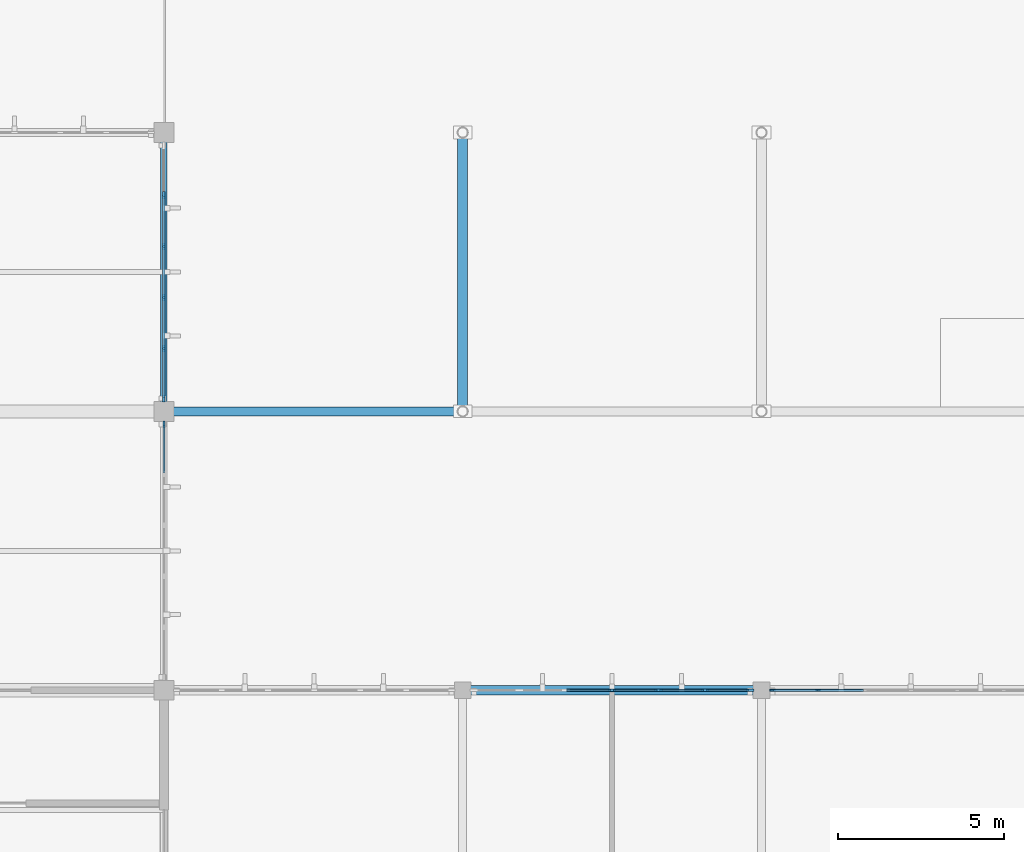
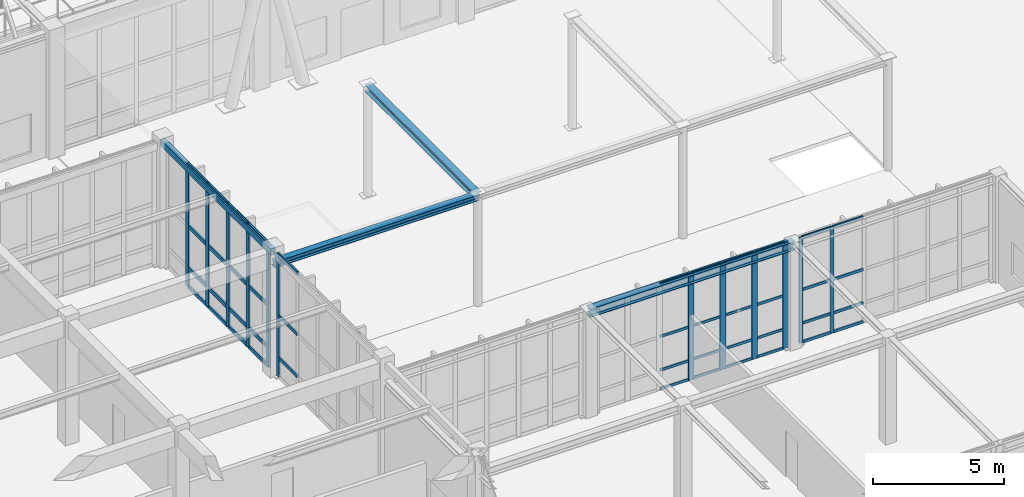
# One storey, part 32 of 110: 55 members, 4 beams, 4 elements without a shape of their own.
"""IFC4 building model written with IfcOpenShell, lengths in metres."""

from ifc_helpers import new_model, si_unit, direction, frame, origin, origin_2d, place, context, subcontext, project, spatial, rectangle, hollow_rectangle, i_section, extrude, material, material_profile, profile_set, type_object, element, aggregate, save


model = new_model("IFC4")

# Units and contexts
model_context = context("Model", 3, precision=1e-05, world=origin(), true_north=direction((0.0, 1.0)))
body_context = subcontext(model_context, "Body", "Model", "MODEL_VIEW")
ifc_project = project(units=[si_unit("LENGTHUNIT", "METRE"), si_unit("AREAUNIT", "SQUARE_METRE"), si_unit("VOLUMEUNIT", "CUBIC_METRE"), si_unit("PLANEANGLEUNIT", "RADIAN"), si_unit("MASSUNIT", "GRAM", prefix="KILO")], contexts=[model_context])

# Site, building, storey
site_placement = place(None, origin())
site = spatial("IfcSite", under=ifc_project, at=site_placement, CompositionType="ELEMENT")
building_placement = place(site_placement, origin())
building = spatial("IfcBuilding", under=site, at=building_placement, Name="Tizgana Railside Sports Hall", CompositionType="ELEMENT")
storey_placement = place(building_placement, origin())
storey = spatial("IfcBuildingStorey", under=building, at=storey_placement, Name="L00", CompositionType="ELEMENT", Elevation=0.0)

# Curtain wall, members
ifc_material_1 = material(Name="Anodised aluminium and glass", Category="aluminium")
curtain_wall_type_1 = type_object("IfcCurtainWallType", Name="Unitised Curtain Wall Passage 1800", PredefinedType="NOTDEFINED", material=ifc_material_1)
curtain_wall_1_placement = place(storey_placement, origin())
curtain_wall_1 = element("IfcCurtainWall", 1, at=curtain_wall_1_placement, inside=storey, type_object=curtain_wall_type_1, Name="L00 Curtain Wall CW-0157", PredefinedType="NOTDEFINED")
ifc_material_2 = material(Name="Anodised aluminium", Category="aluminium")
ifc_material_profile_1 = material_profile(ifc_material_2, rectangle(XDim=0.06005859375, YDim=0.159912109375, at=origin_2d()), Name="Mullion 60x160")
ifc_profile_set_1 = profile_set([ifc_material_profile_1], Name="Anodised aluminium")
member_type_1 = type_object("IfcMemberType", Name="Mullion 60x160", PredefinedType="MULLION", material=ifc_profile_set_1)
member_1_placement = place(storey_placement, frame((116.135009765625, 15.60009765625, 0.044921875), z_axis=(0.0, 0.0, 1.0), x_axis=(0.0, 1.0, 0.0)))
member_1 = element("IfcMember", 2, at=member_1_placement, type_object=member_type_1, Name="CW-06 mullion 1", PredefinedType="MULLION", context=body_context, shape_type="SweptSolid", body=[
    extrude(rectangle(XDim=0.06005859375, YDim=0.159912109375, at=origin_2d()), origin(), (0.0, 0.0, 1.0), 4.9150390625),
])
member_2_placement = place(storey_placement, frame((117.50341796875, 15.60009765625, 0.044921875), z_axis=(0.0, 0.0, 1.0), x_axis=(0.0, 1.0, 0.0)))
member_2 = element("IfcMember", 3, at=member_2_placement, type_object=member_type_1, Name="CW-06 mullion 2", PredefinedType="MULLION", context=body_context, shape_type="SweptSolid", body=[
    extrude(rectangle(XDim=0.06005859375, YDim=0.159912109375, at=origin_2d()), origin(), (0.0, 0.0, 1.0), 4.9150390625),
])

# Curtain wall, member
curtain_wall_type_2 = type_object("IfcCurtainWallType", Name="Unitised Curtain Wall EastHall 1500", PredefinedType="NOTDEFINED", material=ifc_material_1)
curtain_wall_2_placement = place(storey_placement, origin())
curtain_wall_2 = element("IfcCurtainWall", 4, at=curtain_wall_2_placement, inside=storey, type_object=curtain_wall_type_2, Name="L00 Curtain Wall CW-0087", PredefinedType="NOTDEFINED")
ifc_material_profile_2 = material_profile(ifc_material_2, rectangle(XDim=0.06494140625, YDim=0.199951171875, at=origin_2d()), Name="Mullion 65x200")
ifc_profile_set_2 = profile_set([ifc_material_profile_2], Name="Anodised aluminium")
member_type_2 = type_object("IfcMemberType", Name="Mullion 65x200", PredefinedType="MULLION", material=ifc_profile_set_2)
member_3_placement = place(storey_placement, frame((97.800048828125, 23.612548828125, 0.044921875), z_axis=(0.0, 0.0, 1.0), x_axis=(1.0, 0.0, 0.0)))
member_3 = element("IfcMember", 5, at=member_3_placement, type_object=member_type_2, Name="CW-08 mullion 1", PredefinedType="MULLION", context=body_context, shape_type="SweptSolid", body=[
    extrude(rectangle(XDim=0.06494140625, YDim=0.199951171875, at=origin_2d()), origin(), (0.0, 0.0, 1.0), 5.705078125),
])

# Curtain wall, members
curtain_wall_type_3 = type_object("IfcCurtainWallType", Name="Unitised Curtain Wall Concourse 1500", PredefinedType="NOTDEFINED", material=ifc_material_1)
curtain_wall_3_placement = place(storey_placement, origin())
curtain_wall_3 = element("IfcCurtainWall", 6, at=curtain_wall_3_placement, inside=storey, type_object=curtain_wall_type_3, Name="L00 Curtain Wall CW-0088", PredefinedType="NOTDEFINED")
ifc_material_profile_3 = material_profile(ifc_material_2, rectangle(XDim=0.070068359375, YDim=0.219970703125, at=origin_2d()), Name="Mullion 70x220")
ifc_profile_set_3 = profile_set([ifc_material_profile_3], Name="Anodised aluminium")
member_type_3 = type_object("IfcMemberType", Name="Mullion 70x220", PredefinedType="MULLION", material=ifc_profile_set_3)
member_4_placement = place(storey_placement, frame((97.800048828125, 30.507080078125, 0.044921875), z_axis=(0.0, 0.0, 1.0), x_axis=(1.0, 0.0, 0.0)))
member_4 = element("IfcMember", 7, at=member_4_placement, type_object=member_type_3, Name="CW-01 mullion 2", PredefinedType="MULLION", context=body_context, shape_type="SweptSolid", body=[
    extrude(rectangle(XDim=0.070068359375, YDim=0.219970703125, at=origin_2d()), origin(), (0.0, 0.0, 1.0), 5.705078125),
])
member_5_placement = place(storey_placement, frame((97.800048828125, 28.968994140625, 0.044921875), z_axis=(0.0, 0.0, 1.0), x_axis=(1.0, 0.0, 0.0)))
member_5 = element("IfcMember", 8, at=member_5_placement, type_object=member_type_3, Name="CW-01 mullion 3", PredefinedType="MULLION", context=body_context, shape_type="SweptSolid", body=[
    extrude(rectangle(XDim=0.070068359375, YDim=0.219970703125, at=origin_2d()), origin(), (0.0, 0.0, 1.0), 5.705078125),
])
member_6_placement = place(storey_placement, frame((97.800048828125, 27.430908203125, 0.044921875), z_axis=(0.0, 0.0, 1.0), x_axis=(1.0, 0.0, 0.0)))
member_6 = element("IfcMember", 9, at=member_6_placement, type_object=member_type_3, Name="CW-01 mullion 4", PredefinedType="MULLION", context=body_context, shape_type="SweptSolid", body=[
    extrude(rectangle(XDim=0.070068359375, YDim=0.219970703125, at=origin_2d()), origin(), (0.0, 0.0, 1.0), 5.705078125),
])
member_7_placement = place(storey_placement, frame((97.800048828125, 25.89306640625, 0.044921875), z_axis=(0.0, 0.0, 1.0), x_axis=(1.0, 0.0, 0.0)))
member_7 = element("IfcMember", 10, at=member_7_placement, type_object=member_type_3, Name="CW-01 mullion 5", PredefinedType="MULLION", context=body_context, shape_type="SweptSolid", body=[
    extrude(rectangle(XDim=0.070068359375, YDim=0.219970703125, at=origin_2d()), origin(), (0.0, 0.0, 1.0), 5.705078125),
])
member_8_placement = place(storey_placement, frame((97.800048828125, 24.389892578125, 0.044921875), z_axis=(0.0, 0.0, 1.0), x_axis=(1.0, 0.0, 0.0)))
member_8 = element("IfcMember", 11, at=member_8_placement, type_object=member_type_3, Name="CW-01 mullion 6", PredefinedType="MULLION", context=body_context, shape_type="SweptSolid", body=[
    extrude(rectangle(XDim=0.070068359375, YDim=0.219970703125, at=origin_2d()), origin(), (0.0, 0.0, 1.0), 5.705078125),
])

curtain_wall_type_4 = type_object("IfcCurtainWallType", Name="Unitised Curtain Wall Climbing 1600", PredefinedType="NOTDEFINED", material=ifc_material_1)
curtain_wall_4_placement = place(storey_placement, origin())
curtain_wall_4 = element("IfcCurtainWall", 12, at=curtain_wall_4_placement, inside=storey, type_object=curtain_wall_type_4, Name="L00 Curtain Wall CW-0155", PredefinedType="NOTDEFINED")
ifc_material_profile_4 = material_profile(ifc_material_2, rectangle(XDim=0.074951171875, YDim=0.25, at=origin_2d()), Name="Mullion 75x250")
ifc_profile_set_4 = profile_set([ifc_material_profile_4], Name="Anodised aluminium")
member_type_4 = type_object("IfcMemberType", Name="Mullion 75x250", PredefinedType="MULLION", material=ifc_profile_set_4)
member_9_placement = place(storey_placement, frame((111.300048828125, 15.60009765625, 0.044921875), z_axis=(0.0, 0.0, 1.0), x_axis=(0.0, 1.0, 0.0)))
member_9 = element("IfcMember", 13, at=member_9_placement, type_object=member_type_4, Name="CW-04 mullion 4", PredefinedType="MULLION", context=body_context, shape_type="SweptSolid", body=[
    extrude(rectangle(XDim=0.074951171875, YDim=0.25, at=origin_2d()), origin(), (0.0, 0.0, 1.0), 4.9150390625),
])
member_10_placement = place(storey_placement, frame((112.6982421875, 15.60009765625, 0.044921875), z_axis=(0.0, 0.0, 1.0), x_axis=(0.0, 1.0, 0.0)))
member_10 = element("IfcMember", 14, at=member_10_placement, type_object=member_type_4, Name="CW-04 mullion 5", PredefinedType="MULLION", context=body_context, shape_type="SweptSolid", body=[
    extrude(rectangle(XDim=0.074951171875, YDim=0.25, at=origin_2d()), origin(), (0.0, 0.0, 1.0), 4.9150390625),
])
member_11_placement = place(storey_placement, frame((114.0966796875, 15.60009765625, 0.044921875), z_axis=(0.0, 0.0, 1.0), x_axis=(0.0, 1.0, 0.0)))
member_11 = element("IfcMember", 15, at=member_11_placement, type_object=member_type_4, Name="CW-04 mullion 6", PredefinedType="MULLION", context=body_context, shape_type="SweptSolid", body=[
    extrude(rectangle(XDim=0.074951171875, YDim=0.25, at=origin_2d()), origin(), (0.0, 0.0, 1.0), 4.9150390625),
])
member_12_placement = place(storey_placement, frame((115.45751953125, 15.60009765625, 0.044921875), z_axis=(0.0, 0.0, 1.0), x_axis=(0.0, 1.0, 0.0)))
member_12 = element("IfcMember", 16, at=member_12_placement, type_object=member_type_4, Name="CW-04 mullion 7", PredefinedType="MULLION", context=body_context, shape_type="SweptSolid", body=[
    extrude(rectangle(XDim=0.074951171875, YDim=0.25, at=origin_2d()), origin(), (0.0, 0.0, 1.0), 4.9150390625),
])

# Beams
ifc_material_3 = material(Name="Steel S355J2", Category="steel")
ifc_material_profile_5 = material_profile(ifc_material_3, i_section(OverallWidth=0.280029296875, OverallDepth=0.280029296875, WebThickness=0.010498046875, FlangeThickness=0.01806640625, FilletRadius=0.02392578125, at=origin_2d()), Name="HEB 280")
ifc_profile_set_5 = profile_set([ifc_material_profile_5], Name="Steel S355J2")
beam_type_1 = type_object("IfcBeamType", Name="Steel Beam HEB 280", PredefinedType="BEAM", material=ifc_profile_set_5)
beam_1_placement = place(storey_placement, frame((97.800048828125, 24.0, 5.055908203125), z_axis=(1.0, 0.0, 0.0), x_axis=(0.0, 1.0, 0.0)))
element("IfcBeam", 17, at=beam_1_placement, inside=storey, type_object=beam_type_1, Name="L00 BEM-1205", PredefinedType="BEAM", context=body_context, shape_type="SweptSolid", body=[
    extrude(i_section(OverallWidth=0.280029296875, OverallDepth=0.280029296875, WebThickness=0.010498046875, FlangeThickness=0.01806640625, FilletRadius=0.02392578125, at=origin_2d()), origin(), (0.0, 0.0, 1.0), 9.0),
])
ifc_material_profile_6 = material_profile(ifc_material_3, i_section(OverallWidth=0.300048828125, OverallDepth=0.320068359375, WebThickness=0.011474609375, FlangeThickness=0.0205078125, FilletRadius=0.027099609375, at=origin_2d()), Name="HEB 320")
ifc_profile_set_6 = profile_set([ifc_material_profile_6], Name="Steel S355J2")
beam_type_2 = type_object("IfcBeamType", Name="Steel Beam HEB 320", PredefinedType="BEAM", material=ifc_profile_set_6)
beam_2_placement = place(storey_placement, frame((106.800048828125, 24.0, 5.035888671875), z_axis=(0.0, 1.0, 0.0), x_axis=(-1.0, 0.0, 0.0)))
element("IfcBeam", 18, at=beam_2_placement, inside=storey, type_object=beam_type_2, Name="L00 BEM-1208", PredefinedType="BEAM", context=body_context, shape_type="SweptSolid", body=[
    extrude(i_section(OverallWidth=0.300048828125, OverallDepth=0.320068359375, WebThickness=0.011474609375, FlangeThickness=0.0205078125, FilletRadius=0.027099609375, at=origin_2d()), origin(), (0.0, 0.0, 1.0), 8.39990234375),
])
ifc_material_profile_7 = material_profile(ifc_material_3, i_section(OverallWidth=0.300048828125, OverallDepth=0.39990234375, WebThickness=0.013427734375, FlangeThickness=0.02392578125, FilletRadius=0.027099609375, at=origin_2d()), Name="HEB 400")
ifc_profile_set_7 = profile_set([ifc_material_profile_7], Name="Steel S355J2")
beam_type_3 = type_object("IfcBeamType", Name="Steel Beam HEB 400", PredefinedType="BEAM", material=ifc_profile_set_7)
beam_3_placement = place(storey_placement, frame((106.800048828125, 15.60009765625, 4.756103515625), z_axis=(1.0, 0.0, 0.0), x_axis=(0.0, 1.0, 0.0)))
element("IfcBeam", 19, at=beam_3_placement, inside=storey, type_object=beam_type_3, Name="L00 BEM-1355", PredefinedType="BEAM", context=body_context, shape_type="SweptSolid", body=[
    extrude(i_section(OverallWidth=0.300048828125, OverallDepth=0.39990234375, WebThickness=0.013427734375, FlangeThickness=0.02392578125, FilletRadius=0.027099609375, at=origin_2d()), origin(), (0.0, 0.0, 1.0), 9.0),
])
ifc_material_profile_8 = material_profile(ifc_material_3, hollow_rectangle(XDim=0.199951171875, YDim=0.300048828125, WallThickness=0.010009765625, at=origin_2d()), Name="RHS 300x200x10")
ifc_profile_set_8 = profile_set([ifc_material_profile_8], Name="Steel S355J2")
beam_type_4 = type_object("IfcBeamType", Name="Steel Spandrel RHS 300x200x10", PredefinedType="SPANDREL", material=ifc_profile_set_8)
beam_4_placement = place(storey_placement, frame((97.800048828125, 24.0, 5.595947265625), z_axis=(0.0, 1.0, 0.0), x_axis=(-1.0, 0.0, 0.0)))
element("IfcBeam", 20, at=beam_4_placement, inside=storey, type_object=beam_type_4, Name="L00 BEM-0377", PredefinedType="SPANDREL", context=body_context, shape_type="SweptSolid", body=[
    extrude(hollow_rectangle(XDim=0.199951171875, YDim=0.300048828125, WallThickness=0.010009765625, at=origin_2d()), origin(), (0.0, 0.0, 1.0), 8.39990234375),
])

# Member
ifc_material_profile_9 = material_profile(ifc_material_2, rectangle(XDim=0.054931640625, YDim=0.1201171875, at=origin_2d()), Name="Transom 55x120")
ifc_profile_set_9 = profile_set([ifc_material_profile_9], Name="Anodised aluminium")
member_type_5 = type_object("IfcMemberType", Name="Transom 55x120", PredefinedType="USERDEFINED", material=ifc_profile_set_9)
member_13_placement = place(storey_placement, frame((109.939208984375, 15.60009765625, 0.072509765625), z_axis=(1.0, 0.0, 0.0), x_axis=(0.0, 1.0, 0.0)))
member_13 = element("IfcMember", 21, at=member_13_placement, type_object=member_type_5, Name="CW-04 transom 3.1", ObjectType="TRANSOM", PredefinedType="USERDEFINED", context=body_context, shape_type="SweptSolid", body=[
    extrude(rectangle(XDim=0.054931640625, YDim=0.1201171875, at=origin_2d()), origin(), (0.0, 0.0, 1.0), 1.3232421875),
])

member_14_placement = place(storey_placement, frame((109.939208984375, 15.60009765625, 0.945068359375), z_axis=(1.0, 0.0, 0.0), x_axis=(0.0, 1.0, 0.0)))
member_14 = element("IfcMember", 22, at=member_14_placement, type_object=member_type_5, Name="CW-04 transom 3.2", ObjectType="TRANSOM", PredefinedType="USERDEFINED", context=body_context, shape_type="SweptSolid", body=[
    extrude(rectangle(XDim=0.054931640625, YDim=0.1201171875, at=origin_2d()), origin(), (0.0, 0.0, 1.0), 1.3232421875),
])

member_15_placement = place(storey_placement, frame((109.939208984375, 15.60009765625, 2.50244140625), z_axis=(1.0, 0.0, 0.0), x_axis=(0.0, 1.0, 0.0)))
member_15 = element("IfcMember", 23, at=member_15_placement, type_object=member_type_5, Name="CW-04 transom 3.3", ObjectType="TRANSOM", PredefinedType="USERDEFINED", context=body_context, shape_type="SweptSolid", body=[
    extrude(rectangle(XDim=0.054931640625, YDim=0.1201171875, at=origin_2d()), origin(), (0.0, 0.0, 1.0), 1.3232421875),
])

member_16_placement = place(storey_placement, frame((109.939208984375, 15.60009765625, 4.9326171875), z_axis=(1.0, 0.0, 0.0), x_axis=(0.0, 1.0, 0.0)))
member_16 = element("IfcMember", 24, at=member_16_placement, type_object=member_type_5, Name="CW-04 transom 3.4", ObjectType="TRANSOM", PredefinedType="USERDEFINED", context=body_context, shape_type="SweptSolid", body=[
    extrude(rectangle(XDim=0.054931640625, YDim=0.1201171875, at=origin_2d()), origin(), (0.0, 0.0, 1.0), 1.3232421875),
])

member_17_placement = place(storey_placement, frame((111.33740234375, 15.60009765625, 0.072509765625), z_axis=(1.0, 0.0, 0.0), x_axis=(0.0, 1.0, 0.0)))
member_17 = element("IfcMember", 25, at=member_17_placement, type_object=member_type_5, Name="CW-04 transom 4.1", ObjectType="TRANSOM", PredefinedType="USERDEFINED", context=body_context, shape_type="SweptSolid", body=[
    extrude(rectangle(XDim=0.054931640625, YDim=0.1201171875, at=origin_2d()), origin(), (0.0, 0.0, 1.0), 1.323486328125),
])

member_18_placement = place(storey_placement, frame((111.33740234375, 15.60009765625, 0.945068359375), z_axis=(1.0, 0.0, 0.0), x_axis=(0.0, 1.0, 0.0)))
member_18 = element("IfcMember", 26, at=member_18_placement, type_object=member_type_5, Name="CW-04 transom 4.2", ObjectType="TRANSOM", PredefinedType="USERDEFINED", context=body_context, shape_type="SweptSolid", body=[
    extrude(rectangle(XDim=0.054931640625, YDim=0.1201171875, at=origin_2d()), origin(), (0.0, 0.0, 1.0), 1.323486328125),
])

member_19_placement = place(storey_placement, frame((111.33740234375, 15.60009765625, 2.50244140625), z_axis=(1.0, 0.0, 0.0), x_axis=(0.0, 1.0, 0.0)))
member_19 = element("IfcMember", 27, at=member_19_placement, type_object=member_type_5, Name="CW-04 transom 4.3", ObjectType="TRANSOM", PredefinedType="USERDEFINED", context=body_context, shape_type="SweptSolid", body=[
    extrude(rectangle(XDim=0.054931640625, YDim=0.1201171875, at=origin_2d()), origin(), (0.0, 0.0, 1.0), 1.323486328125),
])

member_20_placement = place(storey_placement, frame((111.33740234375, 15.60009765625, 4.9326171875), z_axis=(1.0, 0.0, 0.0), x_axis=(0.0, 1.0, 0.0)))
member_20 = element("IfcMember", 28, at=member_20_placement, type_object=member_type_5, Name="CW-04 transom 4.4", ObjectType="TRANSOM", PredefinedType="USERDEFINED", context=body_context, shape_type="SweptSolid", body=[
    extrude(rectangle(XDim=0.054931640625, YDim=0.1201171875, at=origin_2d()), origin(), (0.0, 0.0, 1.0), 1.323486328125),
])

member_21_placement = place(storey_placement, frame((112.73583984375, 15.60009765625, 0.072509765625), z_axis=(1.0, 0.0, 0.0), x_axis=(0.0, 1.0, 0.0)))
member_21 = element("IfcMember", 29, at=member_21_placement, type_object=member_type_5, Name="CW-04 transom 5.1", ObjectType="TRANSOM", PredefinedType="USERDEFINED", context=body_context, shape_type="SweptSolid", body=[
    extrude(rectangle(XDim=0.054931640625, YDim=0.1201171875, at=origin_2d()), origin(), (0.0, 0.0, 1.0), 1.3232421875),
])

member_22_placement = place(storey_placement, frame((112.73583984375, 15.60009765625, 0.945068359375), z_axis=(1.0, 0.0, 0.0), x_axis=(0.0, 1.0, 0.0)))
member_22 = element("IfcMember", 30, at=member_22_placement, type_object=member_type_5, Name="CW-04 transom 5.2", ObjectType="TRANSOM", PredefinedType="USERDEFINED", context=body_context, shape_type="SweptSolid", body=[
    extrude(rectangle(XDim=0.054931640625, YDim=0.1201171875, at=origin_2d()), origin(), (0.0, 0.0, 1.0), 1.3232421875),
])

member_23_placement = place(storey_placement, frame((112.73583984375, 15.60009765625, 2.50244140625), z_axis=(1.0, 0.0, 0.0), x_axis=(0.0, 1.0, 0.0)))
member_23 = element("IfcMember", 31, at=member_23_placement, type_object=member_type_5, Name="CW-04 transom 5.3", ObjectType="TRANSOM", PredefinedType="USERDEFINED", context=body_context, shape_type="SweptSolid", body=[
    extrude(rectangle(XDim=0.054931640625, YDim=0.1201171875, at=origin_2d()), origin(), (0.0, 0.0, 1.0), 1.3232421875),
])

member_24_placement = place(storey_placement, frame((112.73583984375, 15.60009765625, 4.9326171875), z_axis=(1.0, 0.0, 0.0), x_axis=(0.0, 1.0, 0.0)))
member_24 = element("IfcMember", 32, at=member_24_placement, type_object=member_type_5, Name="CW-04 transom 5.4", ObjectType="TRANSOM", PredefinedType="USERDEFINED", context=body_context, shape_type="SweptSolid", body=[
    extrude(rectangle(XDim=0.054931640625, YDim=0.1201171875, at=origin_2d()), origin(), (0.0, 0.0, 1.0), 1.3232421875),
])

member_25_placement = place(storey_placement, frame((114.13427734375, 15.60009765625, 0.072509765625), z_axis=(1.0, 0.0, 0.0), x_axis=(0.0, 1.0, 0.0)))
member_25 = element("IfcMember", 33, at=member_25_placement, type_object=member_type_5, Name="CW-04 transom 6.1", ObjectType="TRANSOM", PredefinedType="USERDEFINED", context=body_context, shape_type="SweptSolid", body=[
    extrude(rectangle(XDim=0.054931640625, YDim=0.1201171875, at=origin_2d()), origin(), (0.0, 0.0, 1.0), 1.28564453125),
])

member_26_placement = place(storey_placement, frame((114.13427734375, 15.60009765625, 0.945068359375), z_axis=(1.0, 0.0, 0.0), x_axis=(0.0, 1.0, 0.0)))
member_26 = element("IfcMember", 34, at=member_26_placement, type_object=member_type_5, Name="CW-04 transom 6.2", ObjectType="TRANSOM", PredefinedType="USERDEFINED", context=body_context, shape_type="SweptSolid", body=[
    extrude(rectangle(XDim=0.054931640625, YDim=0.1201171875, at=origin_2d()), origin(), (0.0, 0.0, 1.0), 1.28564453125),
])

member_27_placement = place(storey_placement, frame((114.13427734375, 15.60009765625, 2.50244140625), z_axis=(1.0, 0.0, 0.0), x_axis=(0.0, 1.0, 0.0)))
member_27 = element("IfcMember", 35, at=member_27_placement, type_object=member_type_5, Name="CW-04 transom 6.3", ObjectType="TRANSOM", PredefinedType="USERDEFINED", context=body_context, shape_type="SweptSolid", body=[
    extrude(rectangle(XDim=0.054931640625, YDim=0.1201171875, at=origin_2d()), origin(), (0.0, 0.0, 1.0), 1.28564453125),
])

member_28_placement = place(storey_placement, frame((114.13427734375, 15.60009765625, 4.9326171875), z_axis=(1.0, 0.0, 0.0), x_axis=(0.0, 1.0, 0.0)))
member_28 = element("IfcMember", 36, at=member_28_placement, type_object=member_type_5, Name="CW-04 transom 6.4", ObjectType="TRANSOM", PredefinedType="USERDEFINED", context=body_context, shape_type="SweptSolid", body=[
    extrude(rectangle(XDim=0.054931640625, YDim=0.1201171875, at=origin_2d()), origin(), (0.0, 0.0, 1.0), 1.28564453125),
])

aggregate(curtain_wall_4, [member_9, member_10, member_11, member_12, member_13, member_14, member_15, member_16, member_17, member_18, member_19, member_20, member_21, member_22, member_23, member_24, member_25, member_26, member_27, member_28])

ifc_material_profile_10 = material_profile(ifc_material_2, rectangle(XDim=0.06005859375, YDim=0.1298828125, at=origin_2d()), Name="Transom 60x130")
ifc_profile_set_10 = profile_set([ifc_material_profile_10], Name="Anodised aluminium")
member_type_6 = type_object("IfcMemberType", Name="Transom 60x130", PredefinedType="USERDEFINED", material=ifc_profile_set_10)
member_29_placement = place(storey_placement, frame((116.1650390625, 15.60009765625, 0.074951171875), z_axis=(1.0, 0.0, 0.0), x_axis=(0.0, 1.0, 0.0)))
member_29 = element("IfcMember", 37, at=member_29_placement, type_object=member_type_6, Name="CW-06 transom 1.1", ObjectType="TRANSOM", PredefinedType="USERDEFINED", context=body_context, shape_type="SweptSolid", body=[
    extrude(rectangle(XDim=0.06005859375, YDim=0.1298828125, at=origin_2d()), origin(), (0.0, 0.0, 1.0), 1.308349609375),
])

member_30_placement = place(storey_placement, frame((116.1650390625, 15.60009765625, 0.945068359375), z_axis=(1.0, 0.0, 0.0), x_axis=(0.0, 1.0, 0.0)))
member_30 = element("IfcMember", 38, at=member_30_placement, type_object=member_type_6, Name="CW-06 transom 1.2", ObjectType="TRANSOM", PredefinedType="USERDEFINED", context=body_context, shape_type="SweptSolid", body=[
    extrude(rectangle(XDim=0.06005859375, YDim=0.1298828125, at=origin_2d()), origin(), (0.0, 0.0, 1.0), 1.308349609375),
])

member_31_placement = place(storey_placement, frame((116.1650390625, 15.60009765625, 2.50244140625), z_axis=(1.0, 0.0, 0.0), x_axis=(0.0, 1.0, 0.0)))
member_31 = element("IfcMember", 39, at=member_31_placement, type_object=member_type_6, Name="CW-06 transom 1.3", ObjectType="TRANSOM", PredefinedType="USERDEFINED", context=body_context, shape_type="SweptSolid", body=[
    extrude(rectangle(XDim=0.06005859375, YDim=0.1298828125, at=origin_2d()), origin(), (0.0, 0.0, 1.0), 1.308349609375),
])

member_32_placement = place(storey_placement, frame((116.1650390625, 15.60009765625, 4.929931640625), z_axis=(1.0, 0.0, 0.0), x_axis=(0.0, 1.0, 0.0)))
member_32 = element("IfcMember", 40, at=member_32_placement, type_object=member_type_6, Name="CW-06 transom 1.4", ObjectType="TRANSOM", PredefinedType="USERDEFINED", context=body_context, shape_type="SweptSolid", body=[
    extrude(rectangle(XDim=0.06005859375, YDim=0.1298828125, at=origin_2d()), origin(), (0.0, 0.0, 1.0), 1.308349609375),
])

member_33_placement = place(storey_placement, frame((117.533447265625, 15.60009765625, 0.074951171875), z_axis=(1.0, 0.0, 0.0), x_axis=(0.0, 1.0, 0.0)))
member_33 = element("IfcMember", 41, at=member_33_placement, type_object=member_type_6, Name="CW-06 transom 2.1", ObjectType="TRANSOM", PredefinedType="USERDEFINED", context=body_context, shape_type="SweptSolid", body=[
    extrude(rectangle(XDim=0.06005859375, YDim=0.1298828125, at=origin_2d()), origin(), (0.0, 0.0, 1.0), 1.338134765625),
])

member_34_placement = place(storey_placement, frame((117.533447265625, 15.60009765625, 0.945068359375), z_axis=(1.0, 0.0, 0.0), x_axis=(0.0, 1.0, 0.0)))
member_34 = element("IfcMember", 42, at=member_34_placement, type_object=member_type_6, Name="CW-06 transom 2.2", ObjectType="TRANSOM", PredefinedType="USERDEFINED", context=body_context, shape_type="SweptSolid", body=[
    extrude(rectangle(XDim=0.06005859375, YDim=0.1298828125, at=origin_2d()), origin(), (0.0, 0.0, 1.0), 1.338134765625),
])

member_35_placement = place(storey_placement, frame((117.533447265625, 15.60009765625, 2.50244140625), z_axis=(1.0, 0.0, 0.0), x_axis=(0.0, 1.0, 0.0)))
member_35 = element("IfcMember", 43, at=member_35_placement, type_object=member_type_6, Name="CW-06 transom 2.3", ObjectType="TRANSOM", PredefinedType="USERDEFINED", context=body_context, shape_type="SweptSolid", body=[
    extrude(rectangle(XDim=0.06005859375, YDim=0.1298828125, at=origin_2d()), origin(), (0.0, 0.0, 1.0), 1.338134765625),
])

member_36_placement = place(storey_placement, frame((117.533447265625, 15.60009765625, 4.929931640625), z_axis=(1.0, 0.0, 0.0), x_axis=(0.0, 1.0, 0.0)))
member_36 = element("IfcMember", 44, at=member_36_placement, type_object=member_type_6, Name="CW-06 transom 2.4", ObjectType="TRANSOM", PredefinedType="USERDEFINED", context=body_context, shape_type="SweptSolid", body=[
    extrude(rectangle(XDim=0.06005859375, YDim=0.1298828125, at=origin_2d()), origin(), (0.0, 0.0, 1.0), 1.338134765625),
])

aggregate(curtain_wall_1, [member_1, member_2, member_29, member_30, member_31, member_32, member_33, member_34, member_35, member_36])

ifc_material_profile_11 = material_profile(ifc_material_2, rectangle(XDim=0.06494140625, YDim=0.169921875, at=origin_2d()), Name="Transom 65x170")
ifc_profile_set_11 = profile_set([ifc_material_profile_11], Name="Anodised aluminium")
member_type_7 = type_object("IfcMemberType", Name="Transom 65x170", PredefinedType="USERDEFINED", material=ifc_profile_set_11)
member_37_placement = place(storey_placement, frame((97.800048828125, 23.580078125, 0.945068359375), z_axis=(0.0, -1.0, 0.0), x_axis=(1.0, 0.0, 0.0)))
member_37 = element("IfcMember", 45, at=member_37_placement, type_object=member_type_7, Name="CW-08 transom 1.2", ObjectType="TRANSOM", PredefinedType="USERDEFINED", context=body_context, shape_type="SweptSolid", body=[
    extrude(rectangle(XDim=0.06494140625, YDim=0.169921875, at=origin_2d()), origin(), (0.0, 0.0, 1.0), 1.440673828125),
])

member_38_placement = place(storey_placement, frame((97.800048828125, 23.580078125, 2.8974609375), z_axis=(0.0, -1.0, 0.0), x_axis=(1.0, 0.0, 0.0)))
member_38 = element("IfcMember", 46, at=member_38_placement, type_object=member_type_7, Name="CW-08 transom 1.3", ObjectType="TRANSOM", PredefinedType="USERDEFINED", context=body_context, shape_type="SweptSolid", body=[
    extrude(rectangle(XDim=0.06494140625, YDim=0.169921875, at=origin_2d()), origin(), (0.0, 0.0, 1.0), 1.440673828125),
])

member_39_placement = place(storey_placement, frame((97.800048828125, 23.580078125, 5.717529296875), z_axis=(0.0, -1.0, 0.0), x_axis=(1.0, 0.0, 0.0)))
member_39 = element("IfcMember", 47, at=member_39_placement, type_object=member_type_7, Name="CW-08 transom 1.4", ObjectType="TRANSOM", PredefinedType="USERDEFINED", context=body_context, shape_type="SweptSolid", body=[
    extrude(rectangle(XDim=0.06494140625, YDim=0.169921875, at=origin_2d()), origin(), (0.0, 0.0, 1.0), 1.440673828125),
])

aggregate(curtain_wall_2, [member_3, member_37, member_38, member_39])

ifc_material_profile_12 = material_profile(ifc_material_2, rectangle(XDim=0.070068359375, YDim=0.18994140625, at=origin_2d()), Name="Transom 70x190")
ifc_profile_set_12 = profile_set([ifc_material_profile_12], Name="Anodised aluminium")
member_type_8 = type_object("IfcMemberType", Name="Transom 70x190", PredefinedType="USERDEFINED", material=ifc_profile_set_12)
member_40_placement = place(storey_placement, frame((97.800048828125, 30.471923828125, 0.080078125), z_axis=(0.0, -1.0, 0.0), x_axis=(1.0, 0.0, 0.0)))
member_40 = element("IfcMember", 48, at=member_40_placement, type_object=member_type_8, Name="CW-01 transom 2.1", ObjectType="TRANSOM", PredefinedType="USERDEFINED", context=body_context, shape_type="SweptSolid", body=[
    extrude(rectangle(XDim=0.070068359375, YDim=0.18994140625, at=origin_2d()), origin(), (0.0, 0.0, 1.0), 1.468017578125),
])

member_41_placement = place(storey_placement, frame((97.800048828125, 30.471923828125, 0.945068359375), z_axis=(0.0, -1.0, 0.0), x_axis=(1.0, 0.0, 0.0)))
member_41 = element("IfcMember", 49, at=member_41_placement, type_object=member_type_8, Name="CW-01 transom 2.2", ObjectType="TRANSOM", PredefinedType="USERDEFINED", context=body_context, shape_type="SweptSolid", body=[
    extrude(rectangle(XDim=0.070068359375, YDim=0.18994140625, at=origin_2d()), origin(), (0.0, 0.0, 1.0), 1.468017578125),
])

member_42_placement = place(storey_placement, frame((97.800048828125, 30.471923828125, 2.8974609375), z_axis=(0.0, -1.0, 0.0), x_axis=(1.0, 0.0, 0.0)))
member_42 = element("IfcMember", 50, at=member_42_placement, type_object=member_type_8, Name="CW-01 transom 2.3", ObjectType="TRANSOM", PredefinedType="USERDEFINED", context=body_context, shape_type="SweptSolid", body=[
    extrude(rectangle(XDim=0.070068359375, YDim=0.18994140625, at=origin_2d()), origin(), (0.0, 0.0, 1.0), 1.468017578125),
])

member_43_placement = place(storey_placement, frame((97.800048828125, 30.471923828125, 5.715087890625), z_axis=(0.0, -1.0, 0.0), x_axis=(1.0, 0.0, 0.0)))
member_43 = element("IfcMember", 51, at=member_43_placement, type_object=member_type_8, Name="CW-01 transom 2.4", ObjectType="TRANSOM", PredefinedType="USERDEFINED", context=body_context, shape_type="SweptSolid", body=[
    extrude(rectangle(XDim=0.070068359375, YDim=0.18994140625, at=origin_2d()), origin(), (0.0, 0.0, 1.0), 1.468017578125),
])

member_44_placement = place(storey_placement, frame((97.800048828125, 28.93408203125, 0.080078125), z_axis=(0.0, -1.0, 0.0), x_axis=(1.0, 0.0, 0.0)))
member_44 = element("IfcMember", 52, at=member_44_placement, type_object=member_type_8, Name="CW-01 transom 3.1", ObjectType="TRANSOM", PredefinedType="USERDEFINED", context=body_context, shape_type="SweptSolid", body=[
    extrude(rectangle(XDim=0.070068359375, YDim=0.18994140625, at=origin_2d()), origin(), (0.0, 0.0, 1.0), 1.468017578125),
])

member_45_placement = place(storey_placement, frame((97.800048828125, 28.93408203125, 0.945068359375), z_axis=(0.0, -1.0, 0.0), x_axis=(1.0, 0.0, 0.0)))
member_45 = element("IfcMember", 53, at=member_45_placement, type_object=member_type_8, Name="CW-01 transom 3.2", ObjectType="TRANSOM", PredefinedType="USERDEFINED", context=body_context, shape_type="SweptSolid", body=[
    extrude(rectangle(XDim=0.070068359375, YDim=0.18994140625, at=origin_2d()), origin(), (0.0, 0.0, 1.0), 1.468017578125),
])

member_46_placement = place(storey_placement, frame((97.800048828125, 28.93408203125, 2.8974609375), z_axis=(0.0, -1.0, 0.0), x_axis=(1.0, 0.0, 0.0)))
member_46 = element("IfcMember", 54, at=member_46_placement, type_object=member_type_8, Name="CW-01 transom 3.3", ObjectType="TRANSOM", PredefinedType="USERDEFINED", context=body_context, shape_type="SweptSolid", body=[
    extrude(rectangle(XDim=0.070068359375, YDim=0.18994140625, at=origin_2d()), origin(), (0.0, 0.0, 1.0), 1.468017578125),
])

member_47_placement = place(storey_placement, frame((97.800048828125, 28.93408203125, 5.715087890625), z_axis=(0.0, -1.0, 0.0), x_axis=(1.0, 0.0, 0.0)))
member_47 = element("IfcMember", 55, at=member_47_placement, type_object=member_type_8, Name="CW-01 transom 3.4", ObjectType="TRANSOM", PredefinedType="USERDEFINED", context=body_context, shape_type="SweptSolid", body=[
    extrude(rectangle(XDim=0.070068359375, YDim=0.18994140625, at=origin_2d()), origin(), (0.0, 0.0, 1.0), 1.468017578125),
])

member_48_placement = place(storey_placement, frame((97.800048828125, 27.39599609375, 0.080078125), z_axis=(0.0, -1.0, 0.0), x_axis=(1.0, 0.0, 0.0)))
member_48 = element("IfcMember", 56, at=member_48_placement, type_object=member_type_8, Name="CW-01 transom 4.1", ObjectType="TRANSOM", PredefinedType="USERDEFINED", context=body_context, shape_type="SweptSolid", body=[
    extrude(rectangle(XDim=0.070068359375, YDim=0.18994140625, at=origin_2d()), origin(), (0.0, 0.0, 1.0), 1.468017578125),
])

member_49_placement = place(storey_placement, frame((97.800048828125, 27.39599609375, 0.945068359375), z_axis=(0.0, -1.0, 0.0), x_axis=(1.0, 0.0, 0.0)))
member_49 = element("IfcMember", 57, at=member_49_placement, type_object=member_type_8, Name="CW-01 transom 4.2", ObjectType="TRANSOM", PredefinedType="USERDEFINED", context=body_context, shape_type="SweptSolid", body=[
    extrude(rectangle(XDim=0.070068359375, YDim=0.18994140625, at=origin_2d()), origin(), (0.0, 0.0, 1.0), 1.468017578125),
])

member_50_placement = place(storey_placement, frame((97.800048828125, 27.39599609375, 2.8974609375), z_axis=(0.0, -1.0, 0.0), x_axis=(1.0, 0.0, 0.0)))
member_50 = element("IfcMember", 58, at=member_50_placement, type_object=member_type_8, Name="CW-01 transom 4.3", ObjectType="TRANSOM", PredefinedType="USERDEFINED", context=body_context, shape_type="SweptSolid", body=[
    extrude(rectangle(XDim=0.070068359375, YDim=0.18994140625, at=origin_2d()), origin(), (0.0, 0.0, 1.0), 1.468017578125),
])

member_51_placement = place(storey_placement, frame((97.800048828125, 27.39599609375, 5.715087890625), z_axis=(0.0, -1.0, 0.0), x_axis=(1.0, 0.0, 0.0)))
member_51 = element("IfcMember", 59, at=member_51_placement, type_object=member_type_8, Name="CW-01 transom 4.4", ObjectType="TRANSOM", PredefinedType="USERDEFINED", context=body_context, shape_type="SweptSolid", body=[
    extrude(rectangle(XDim=0.070068359375, YDim=0.18994140625, at=origin_2d()), origin(), (0.0, 0.0, 1.0), 1.468017578125),
])

member_52_placement = place(storey_placement, frame((97.800048828125, 25.85791015625, 0.080078125), z_axis=(0.0, -1.0, 0.0), x_axis=(1.0, 0.0, 0.0)))
member_52 = element("IfcMember", 60, at=member_52_placement, type_object=member_type_8, Name="CW-01 transom 5.1", ObjectType="TRANSOM", PredefinedType="USERDEFINED", context=body_context, shape_type="SweptSolid", body=[
    extrude(rectangle(XDim=0.070068359375, YDim=0.18994140625, at=origin_2d()), origin(), (0.0, 0.0, 1.0), 1.432861328125),
])

member_53_placement = place(storey_placement, frame((97.800048828125, 25.85791015625, 0.945068359375), z_axis=(0.0, -1.0, 0.0), x_axis=(1.0, 0.0, 0.0)))
member_53 = element("IfcMember", 61, at=member_53_placement, type_object=member_type_8, Name="CW-01 transom 5.2", ObjectType="TRANSOM", PredefinedType="USERDEFINED", context=body_context, shape_type="SweptSolid", body=[
    extrude(rectangle(XDim=0.070068359375, YDim=0.18994140625, at=origin_2d()), origin(), (0.0, 0.0, 1.0), 1.432861328125),
])

member_54_placement = place(storey_placement, frame((97.800048828125, 25.85791015625, 2.8974609375), z_axis=(0.0, -1.0, 0.0), x_axis=(1.0, 0.0, 0.0)))
member_54 = element("IfcMember", 62, at=member_54_placement, type_object=member_type_8, Name="CW-01 transom 5.3", ObjectType="TRANSOM", PredefinedType="USERDEFINED", context=body_context, shape_type="SweptSolid", body=[
    extrude(rectangle(XDim=0.070068359375, YDim=0.18994140625, at=origin_2d()), origin(), (0.0, 0.0, 1.0), 1.432861328125),
])

member_55_placement = place(storey_placement, frame((97.800048828125, 25.85791015625, 5.715087890625), z_axis=(0.0, -1.0, 0.0), x_axis=(1.0, 0.0, 0.0)))
member_55 = element("IfcMember", 63, at=member_55_placement, type_object=member_type_8, Name="CW-01 transom 5.4", ObjectType="TRANSOM", PredefinedType="USERDEFINED", context=body_context, shape_type="SweptSolid", body=[
    extrude(rectangle(XDim=0.070068359375, YDim=0.18994140625, at=origin_2d()), origin(), (0.0, 0.0, 1.0), 1.432861328125),
])

aggregate(curtain_wall_3, [member_4, member_5, member_6, member_7, member_8, member_40, member_41, member_42, member_43, member_44, member_45, member_46, member_47, member_48, member_49, member_50, member_51, member_52, member_53, member_54, member_55])

save(model, "model.ifc")
